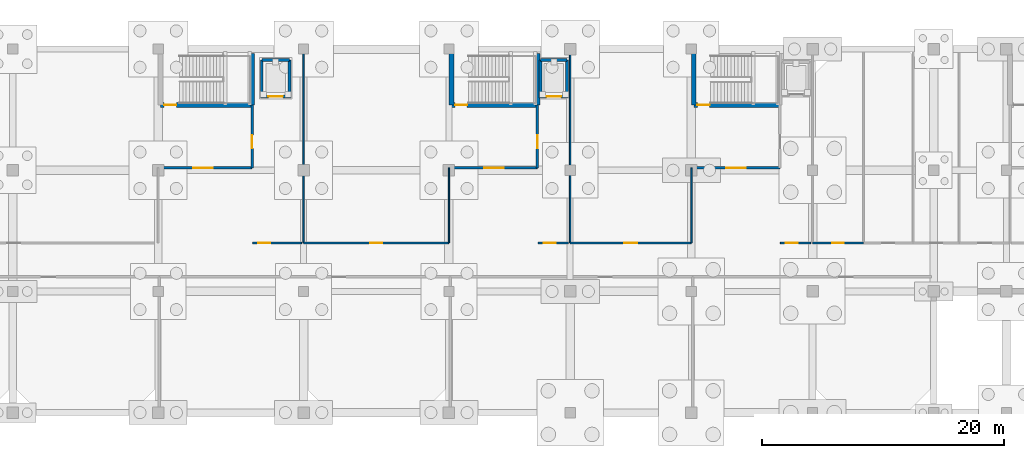
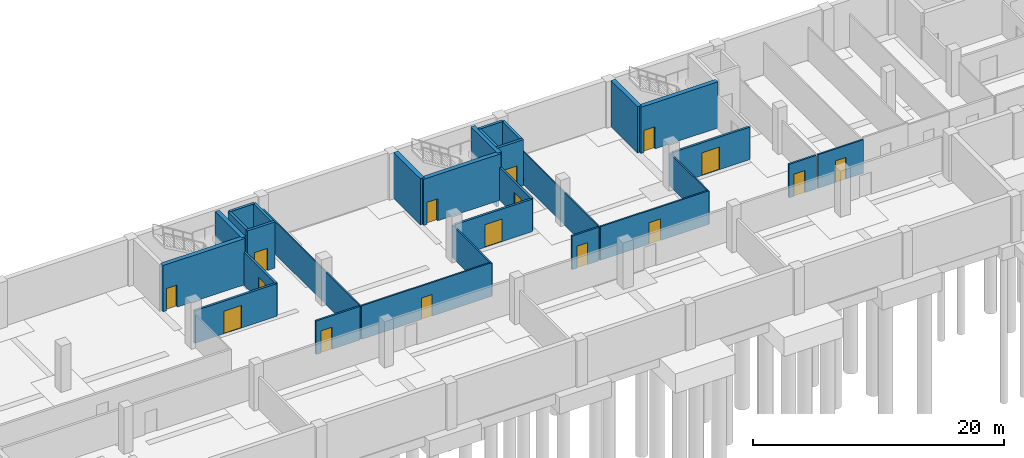
# One storey, part 13 of 19: 30 walls, 16 doors, 16 openings.
"""IFC4 building model written with IfcOpenShell, lengths in metres."""

from ifc_helpers import new_model, si_unit, direction, frame, frame_2d, origin, place, context, subcontext, project, spatial, rectangle, extrude, material, layer, layer_set, type_object, element, fill, save


model = new_model("IFC4")

# Units and contexts
model_context = context("Model", 3, precision=1e-05, world=origin(), true_north=direction((0.0, 1.0)))
body_context = subcontext(model_context, "Body", "Model", "MODEL_VIEW")
ifc_project = project(units=[si_unit("LENGTHUNIT", "METRE"), si_unit("AREAUNIT", "SQUARE_METRE"), si_unit("VOLUMEUNIT", "CUBIC_METRE"), si_unit("PLANEANGLEUNIT", "RADIAN"), si_unit("MASSUNIT", "GRAM", prefix="KILO")], contexts=[model_context])

# Site, building, storey
site_placement = place(None, origin())
site = spatial("IfcSite", under=ifc_project, at=site_placement, CompositionType="ELEMENT")
building_placement = place(site_placement, origin())
building = spatial("IfcBuilding", under=site, at=building_placement, Name="Mersad Railyard Sports Hall", CompositionType="ELEMENT")
storey_placement = place(building_placement, frame((0.0, 0.0, -4.5)))
storey = spatial("IfcBuildingStorey", under=building, at=storey_placement, Name="B1", CompositionType="ELEMENT", Elevation=-4.5)

# Wall, opening, door
ifc_material_1 = material(Name="Precast concrete C45/55", Category="concrete")
ifc_layer_1 = layer(ifc_material_1, 0.199951171875)
ifc_layer_set_1 = layer_set([ifc_layer_1], Name="Precast concrete C45/55")
wall_type_1 = type_object("IfcWallType", Name="ARC-WL-PT01", PredefinedType="PARTITIONING", material=ifc_layer_set_1)
wall_1_placement = place(storey_placement, frame((67.199951171875, 105.199951171875, 0.0), z_axis=(0.0, 0.0, 1.0), x_axis=(1.0, 0.0, 0.0)))
wall_1 = element("IfcWall", 1, at=wall_1_placement, inside=storey, type_object=wall_type_1, Name="Interior wall PT01-0154", PredefinedType="PARTITIONING", context=body_context, shape_type="SweptSolid", body=[
    extrude(rectangle(XDim=7.550048828125, YDim=0.199951171875, at=frame_2d((3.77490234375, 0.0))), origin(), (0.0, 0.0, 1.0), 3.175048828125),
])
opening_1_placement = place(wall_1_placement, frame((2.699951171875, 0.0, 0.0)))
opening_1 = element("IfcOpeningElement", 2, at=opening_1_placement, cuts=wall_1, Name="Opening FD04", PredefinedType="OPENING", context=body_context, shape_type="SweptSolid", body=[
    extrude(rectangle(XDim=1.60009765625, YDim=2.199951171875, at=frame_2d((0.800048828125, 1.10009765625))), frame((0.0, 0.10986328125, 0.0), z_axis=(0.0, -1.0, 0.0), x_axis=(1.0, 0.0, 0.0)), (0.0, 0.0, 1.0), 0.219970703125),
])
ifc_material_2 = material(Name="Steel S355", Category="steel")
door_type_1 = type_object("IfcDoorType", Name="ARC-DR-FD04", OperationType="NOTDEFINED", PredefinedType="DOOR", material=ifc_material_2)
door_1_placement = place(opening_1_placement, origin())
door_1 = element("IfcDoor", 3, at=door_1_placement, inside=storey, type_object=door_type_1, Name="C1 firefighting lobby door FD04-0042", OperationType="DOUBLE_DOOR_SINGLE_SWING", OverallHeight=2.199951171875, OverallWidth=1.60009765625, PredefinedType="DOOR", context=body_context, shape_type="SweptSolid", body=[
    extrude(rectangle(XDim=1.60009765625, YDim=2.199951171875, at=frame_2d((0.800048828125, 1.10009765625))), frame((0.0, 0.02490234375, 0.0), z_axis=(0.0, -1.0, 0.0), x_axis=(1.0, 0.0, 0.0)), (0.0, 0.0, 1.0), 0.050048828125),
])
fill(opening_1, door_1)

wall_2_placement = place(storey_placement, frame((74.75, 105.199951171875, 0.0), z_axis=(0.0, 0.0, 1.0), x_axis=(0.0, 1.0, 0.0)))
wall_2 = element("IfcWall", 4, at=wall_2_placement, inside=storey, type_object=wall_type_1, Name="Interior wall PT01-0155", PredefinedType="PARTITIONING", context=body_context, shape_type="SweptSolid", body=[
    extrude(rectangle(XDim=5.179931640625, YDim=0.199951171875, at=frame_2d((2.58984375, 0.0))), origin(), (0.0, 0.0, 1.0), 3.175048828125),
])
opening_2_placement = place(wall_2_placement, frame((1.60009765625, 0.0, 0.0)))
opening_2 = element("IfcOpeningElement", 5, at=opening_2_placement, cuts=wall_2, Name="Opening FD01", PredefinedType="OPENING", context=body_context, shape_type="SweptSolid", body=[
    extrude(rectangle(XDim=1.10009765625, YDim=2.14990234375, at=frame_2d((0.550048828125, 1.074951171875))), frame((0.0, 0.10986328125, 0.0), z_axis=(0.0, -1.0, 0.0), x_axis=(1.0, 0.0, 0.0)), (0.0, 0.0, 1.0), 0.219970703125),
])
door_type_2 = type_object("IfcDoorType", Name="ARC-DR-FD01", OperationType="NOTDEFINED", PredefinedType="DOOR", material=ifc_material_2)
door_2_placement = place(opening_2_placement, origin())
door_2 = element("IfcDoor", 6, at=door_2_placement, inside=storey, type_object=door_type_2, Name="C1 lift-to-firefighting lobby door FD01-0043", OperationType="SINGLE_SWING_RIGHT", OverallHeight=2.14990234375, OverallWidth=1.10009765625, PredefinedType="DOOR", context=body_context, shape_type="SweptSolid", body=[
    extrude(rectangle(XDim=1.10009765625, YDim=2.14990234375, at=frame_2d((0.550048828125, 1.074951171875))), frame((0.0, 0.02490234375, 0.0), z_axis=(0.0, -1.0, 0.0), x_axis=(1.0, 0.0, 0.0)), (0.0, 0.0, 1.0), 0.050048828125),
])
fill(opening_2, door_2)

wall_3_placement = place(storey_placement, frame((91.199951171875, 105.199951171875, 0.0), z_axis=(0.0, 0.0, 1.0), x_axis=(1.0, 0.0, 0.0)))
wall_3 = element("IfcWall", 7, at=wall_3_placement, inside=storey, type_object=wall_type_1, Name="Interior wall PT01-0196", PredefinedType="PARTITIONING", context=body_context, shape_type="SweptSolid", body=[
    extrude(rectangle(XDim=7.10009765625, YDim=0.199951171875, at=frame_2d((3.550048828125, 0.0))), origin(), (0.0, 0.0, 1.0), 3.175048828125),
])
opening_3_placement = place(wall_3_placement, frame((2.699951171875, 0.0, 0.0)))
opening_3 = element("IfcOpeningElement", 8, at=opening_3_placement, cuts=wall_3, Name="Opening FD04", PredefinedType="OPENING", context=body_context, shape_type="SweptSolid", body=[
    extrude(rectangle(XDim=1.60009765625, YDim=2.199951171875, at=frame_2d((0.800048828125, 1.10009765625))), frame((0.0, 0.10986328125, 0.0), z_axis=(0.0, -1.0, 0.0), x_axis=(1.0, 0.0, 0.0)), (0.0, 0.0, 1.0), 0.219970703125),
])
door_3_placement = place(opening_3_placement, origin())
door_3 = element("IfcDoor", 9, at=door_3_placement, inside=storey, type_object=door_type_1, Name="C2 firefighting lobby door FD04-0070", OperationType="DOUBLE_DOOR_SINGLE_SWING", OverallHeight=2.199951171875, OverallWidth=1.60009765625, PredefinedType="DOOR", context=body_context, shape_type="SweptSolid", body=[
    extrude(rectangle(XDim=1.60009765625, YDim=2.199951171875, at=frame_2d((0.800048828125, 1.10009765625))), frame((0.0, 0.02490234375, 0.0), z_axis=(0.0, -1.0, 0.0), x_axis=(1.0, 0.0, 0.0)), (0.0, 0.0, 1.0), 0.050048828125),
])
fill(opening_3, door_3)

wall_4_placement = place(storey_placement, frame((98.300048828125, 105.199951171875, 0.0), z_axis=(0.0, 0.0, 1.0), x_axis=(0.0, 1.0, 0.0)))
wall_4 = element("IfcWall", 10, at=wall_4_placement, inside=storey, type_object=wall_type_1, Name="Interior wall PT01-0197", PredefinedType="PARTITIONING", context=body_context, shape_type="SweptSolid", body=[
    extrude(rectangle(XDim=5.179931640625, YDim=0.199951171875, at=frame_2d((2.58984375, 0.0))), origin(), (0.0, 0.0, 1.0), 3.175048828125),
])
opening_4_placement = place(wall_4_placement, frame((1.60009765625, 0.0, 0.0)))
opening_4 = element("IfcOpeningElement", 11, at=opening_4_placement, cuts=wall_4, Name="Opening FD01", PredefinedType="OPENING", context=body_context, shape_type="SweptSolid", body=[
    extrude(rectangle(XDim=1.10009765625, YDim=2.14990234375, at=frame_2d((0.550048828125, 1.074951171875))), frame((0.0, 0.10986328125, 0.0), z_axis=(0.0, -1.0, 0.0), x_axis=(1.0, 0.0, 0.0)), (0.0, 0.0, 1.0), 0.219970703125),
])
door_4_placement = place(opening_4_placement, origin())
door_4 = element("IfcDoor", 12, at=door_4_placement, inside=storey, type_object=door_type_2, Name="C2 lift-to-firefighting lobby door FD01-0071", OperationType="SINGLE_SWING_LEFT", OverallHeight=2.14990234375, OverallWidth=1.10009765625, PredefinedType="DOOR", context=body_context, shape_type="SweptSolid", body=[
    extrude(rectangle(XDim=1.10009765625, YDim=2.14990234375, at=frame_2d((0.550048828125, 1.074951171875))), frame((0.0, 0.02490234375, 0.0), z_axis=(0.0, -1.0, 0.0), x_axis=(1.0, 0.0, 0.0)), (0.0, 0.0, 1.0), 0.050048828125),
])
fill(opening_4, door_4)

wall_5_placement = place(storey_placement, frame((111.199951171875, 105.199951171875, 0.0), z_axis=(0.0, 0.0, 1.0), x_axis=(1.0, 0.0, 0.0)))
wall_5 = element("IfcWall", 13, at=wall_5_placement, inside=storey, type_object=wall_type_1, Name="Interior wall PT01-0238", PredefinedType="PARTITIONING", context=body_context, shape_type="SweptSolid", body=[
    extrude(rectangle(XDim=7.10009765625, YDim=0.199951171875, at=frame_2d((3.550048828125, 0.0))), origin(), (0.0, 0.0, 1.0), 3.175048828125),
])
opening_5_placement = place(wall_5_placement, frame((2.699951171875, 0.0, 0.0)))
opening_5 = element("IfcOpeningElement", 14, at=opening_5_placement, cuts=wall_5, Name="Opening FD04", PredefinedType="OPENING", context=body_context, shape_type="SweptSolid", body=[
    extrude(rectangle(XDim=1.60009765625, YDim=2.199951171875, at=frame_2d((0.800048828125, 1.10009765625))), frame((0.0, 0.10986328125, 0.0), z_axis=(0.0, -1.0, 0.0), x_axis=(1.0, 0.0, 0.0)), (0.0, 0.0, 1.0), 0.219970703125),
])
door_5_placement = place(opening_5_placement, origin())
door_5 = element("IfcDoor", 15, at=door_5_placement, inside=storey, type_object=door_type_1, Name="C3 firefighting lobby door FD04-0098", OperationType="DOUBLE_DOOR_SINGLE_SWING", OverallHeight=2.199951171875, OverallWidth=1.60009765625, PredefinedType="DOOR", context=body_context, shape_type="SweptSolid", body=[
    extrude(rectangle(XDim=1.60009765625, YDim=2.199951171875, at=frame_2d((0.800048828125, 1.10009765625))), frame((0.0, 0.02490234375, 0.0), z_axis=(0.0, -1.0, 0.0), x_axis=(1.0, 0.0, 0.0)), (0.0, 0.0, 1.0), 0.050048828125),
])
fill(opening_5, door_5)

ifc_material_3 = material(Name="Gypsum plasterboard", Category="gypsum")
ifc_layer_2 = layer(ifc_material_3, 0.159912109375)
ifc_layer_set_2 = layer_set([ifc_layer_2], Name="Gypsum plasterboard")
wall_type_2 = type_object("IfcWallType", Name="ARC-WL-PT02", PredefinedType="PARTITIONING", material=ifc_layer_set_2)
wall_6_placement = place(storey_placement, frame((74.800048828125, 99.0, 0.0), z_axis=(0.0, 0.0, 1.0), x_axis=(1.0, 0.0, 0.0)))
wall_6 = element("IfcWall", 16, at=wall_6_placement, inside=storey, type_object=wall_type_2, Name="Interior wall PT02-0156", PredefinedType="PARTITIONING", context=body_context, shape_type="SweptSolid", body=[
    extrude(rectangle(XDim=4.050048828125, YDim=0.159912109375, at=frame_2d((2.02490234375, 0.0))), origin(), (0.0, 0.0, 1.0), 3.27490234375),
])
opening_6_placement = place(wall_6_placement, frame((0.449951171875, 0.0, 0.0)))
opening_6 = element("IfcOpeningElement", 17, at=opening_6_placement, cuts=wall_6, Name="Opening FD02", PredefinedType="OPENING", context=body_context, shape_type="SweptSolid", body=[
    extrude(rectangle(XDim=1.0, YDim=2.14990234375, at=frame_2d((0.5, 1.074951171875))), frame((0.0, 0.08984375, 0.0), z_axis=(0.0, -1.0, 0.0), x_axis=(1.0, 0.0, 0.0)), (0.0, 0.0, 1.0), 0.179931640625),
])
door_type_3 = type_object("IfcDoorType", Name="ARC-DR-FD02", OperationType="NOTDEFINED", PredefinedType="DOOR", material=ifc_material_2)
door_6_placement = place(opening_6_placement, origin())
door_6 = element("IfcDoor", 18, at=door_6_placement, inside=storey, type_object=door_type_3, Name="C1 lift lobby corridor door FD02-0044", OperationType="SINGLE_SWING_LEFT", OverallHeight=2.14990234375, OverallWidth=1.0, PredefinedType="DOOR", context=body_context, shape_type="SweptSolid", body=[
    extrude(rectangle(XDim=1.0, YDim=2.14990234375, at=frame_2d((0.5, 1.074951171875))), frame((0.0, 0.02490234375, 0.0), z_axis=(0.0, -1.0, 0.0), x_axis=(1.0, 0.0, 0.0)), (0.0, 0.0, 1.0), 0.050048828125),
])
fill(opening_6, door_6)

wall_7_placement = place(storey_placement, frame((98.35009765625, 99.0, 0.0), z_axis=(0.0, 0.0, 1.0), x_axis=(1.0, 0.0, 0.0)))
wall_7 = element("IfcWall", 19, at=wall_7_placement, inside=storey, type_object=wall_type_2, Name="Interior wall PT02-0198", PredefinedType="PARTITIONING", context=body_context, shape_type="SweptSolid", body=[
    extrude(rectangle(XDim=2.5, YDim=0.159912109375, at=frame_2d((1.25, 0.0))), origin(), (0.0, 0.0, 1.0), 3.27490234375),
])
opening_7_placement = place(wall_7_placement, frame((0.449951171875, 0.0, 0.0)))
opening_7 = element("IfcOpeningElement", 20, at=opening_7_placement, cuts=wall_7, Name="Opening FD02", PredefinedType="OPENING", context=body_context, shape_type="SweptSolid", body=[
    extrude(rectangle(XDim=1.0, YDim=2.14990234375, at=frame_2d((0.5, 1.074951171875))), frame((0.0, 0.08984375, 0.0), z_axis=(0.0, -1.0, 0.0), x_axis=(1.0, 0.0, 0.0)), (0.0, 0.0, 1.0), 0.179931640625),
])
door_7_placement = place(opening_7_placement, origin())
door_7 = element("IfcDoor", 21, at=door_7_placement, inside=storey, type_object=door_type_3, Name="C2 lift lobby corridor door FD02-0072", OperationType="SINGLE_SWING_RIGHT", OverallHeight=2.14990234375, OverallWidth=1.0, PredefinedType="DOOR", context=body_context, shape_type="SweptSolid", body=[
    extrude(rectangle(XDim=1.0, YDim=2.14990234375, at=frame_2d((0.5, 1.074951171875))), frame((0.0, 0.02490234375, 0.0), z_axis=(0.0, -1.0, 0.0), x_axis=(1.0, 0.0, 0.0)), (0.0, 0.0, 1.0), 0.050048828125),
])
fill(opening_7, door_7)

wall_8_placement = place(storey_placement, frame((118.35009765625, 99.0, 0.0), z_axis=(0.0, 0.0, 1.0), x_axis=(1.0, 0.0, 0.0)))
wall_8 = element("IfcWall", 22, at=wall_8_placement, inside=storey, type_object=wall_type_2, Name="Interior wall PT02-0240", PredefinedType="PARTITIONING", context=body_context, shape_type="SweptSolid", body=[
    extrude(rectangle(XDim=2.5, YDim=0.159912109375, at=frame_2d((1.25, 0.0))), origin(), (0.0, 0.0, 1.0), 3.27490234375),
])
opening_8_placement = place(wall_8_placement, frame((0.449951171875, 0.0, 0.0)))
opening_8 = element("IfcOpeningElement", 23, at=opening_8_placement, cuts=wall_8, Name="Opening FD02", PredefinedType="OPENING", context=body_context, shape_type="SweptSolid", body=[
    extrude(rectangle(XDim=1.0, YDim=2.14990234375, at=frame_2d((0.5, 1.074951171875))), frame((0.0, 0.08984375, 0.0), z_axis=(0.0, -1.0, 0.0), x_axis=(1.0, 0.0, 0.0)), (0.0, 0.0, 1.0), 0.179931640625),
])
door_8_placement = place(opening_8_placement, origin())
door_8 = element("IfcDoor", 24, at=door_8_placement, inside=storey, type_object=door_type_3, Name="C3 lift lobby corridor door FD02-0100", OperationType="SINGLE_SWING_LEFT", OverallHeight=2.14990234375, OverallWidth=1.0, PredefinedType="DOOR", context=body_context, shape_type="SweptSolid", body=[
    extrude(rectangle(XDim=1.0, YDim=2.14990234375, at=frame_2d((0.5, 1.074951171875))), frame((0.0, 0.02490234375, 0.0), z_axis=(0.0, -1.0, 0.0), x_axis=(1.0, 0.0, 0.0)), (0.0, 0.0, 1.0), 0.050048828125),
])
fill(opening_8, door_8)

ifc_layer_3 = layer(ifc_material_3, 0.139892578125)
ifc_layer_set_3 = layer_set([ifc_layer_3], Name="Gypsum plasterboard")
wall_type_3 = type_object("IfcWallType", Name="ARC-WL-PT03", PredefinedType="PARTITIONING", material=ifc_layer_set_3)
wall_9_placement = place(storey_placement, frame((79.0, 99.0, 0.0), z_axis=(0.0, 0.0, 1.0), x_axis=(1.0, 0.0, 0.0)))
wall_9 = element("IfcWall", 25, at=wall_9_placement, inside=storey, type_object=wall_type_3, Name="Interior wall PT03-0387", PredefinedType="PARTITIONING", context=body_context, shape_type="SweptSolid", body=[
    extrude(rectangle(XDim=12.0, YDim=0.139892578125, at=frame_2d((6.0, 0.0))), origin(), (0.0, 0.0, 1.0), 3.27490234375),
])
opening_9_placement = place(wall_9_placement, frame((5.510009765625, 0.0, 0.0)))
opening_9 = element("IfcOpeningElement", 26, at=opening_9_placement, cuts=wall_9, Name="Opening FD06", PredefinedType="OPENING", context=body_context, shape_type="SweptSolid", body=[
    extrude(rectangle(XDim=0.97998046875, YDim=2.10009765625, at=frame_2d((0.489990234375, 1.050048828125))), frame((0.0, 0.079833984375, 0.0), z_axis=(0.0, -1.0, 0.0), x_axis=(1.0, 0.0, 0.0)), (0.0, 0.0, 1.0), 0.159912109375),
])
door_type_4 = type_object("IfcDoorType", Name="ARC-DR-FD06", OperationType="NOTDEFINED", PredefinedType="DOOR", material=ifc_material_2)
door_9_placement = place(opening_9_placement, origin())
door_9 = element("IfcDoor", 27, at=door_9_placement, inside=storey, type_object=door_type_4, Name="B1 north room door FD06-0174", OperationType="SINGLE_SWING_LEFT", OverallHeight=2.10009765625, OverallWidth=0.97998046875, PredefinedType="DOOR", context=body_context, shape_type="SweptSolid", body=[
    extrude(rectangle(XDim=0.97998046875, YDim=2.10009765625, at=frame_2d((0.489990234375, 1.050048828125))), frame((0.0, 0.02490234375, 0.0), z_axis=(0.0, -1.0, 0.0), x_axis=(1.0, 0.0, 0.0)), (0.0, 0.0, 1.0), 0.050048828125),
])
fill(opening_9, door_9)

wall_10_placement = place(storey_placement, frame((101.0, 99.0, 0.0), z_axis=(0.0, 0.0, 1.0), x_axis=(1.0, 0.0, 0.0)))
wall_10 = element("IfcWall", 28, at=wall_10_placement, inside=storey, type_object=wall_type_3, Name="Interior wall PT03-0390", PredefinedType="PARTITIONING", context=body_context, shape_type="SweptSolid", body=[
    extrude(rectangle(XDim=10.0, YDim=0.139892578125, at=frame_2d((5.0, 0.0))), origin(), (0.0, 0.0, 1.0), 3.27490234375),
])
opening_10_placement = place(wall_10_placement, frame((4.47509765625, 0.0, 0.0)))
opening_10 = element("IfcOpeningElement", 29, at=opening_10_placement, cuts=wall_10, Name="Opening FD07", PredefinedType="OPENING", context=body_context, shape_type="SweptSolid", body=[
    extrude(rectangle(XDim=1.050048828125, YDim=2.10009765625, at=frame_2d((0.52490234375, 1.050048828125))), frame((0.0, 0.079833984375, 0.0), z_axis=(0.0, -1.0, 0.0), x_axis=(1.0, 0.0, 0.0)), (0.0, 0.0, 1.0), 0.159912109375),
])
door_type_5 = type_object("IfcDoorType", Name="ARC-DR-FD07", OperationType="NOTDEFINED", PredefinedType="DOOR", material=ifc_material_2)
door_10_placement = place(opening_10_placement, origin())
door_10 = element("IfcDoor", 30, at=door_10_placement, inside=storey, type_object=door_type_5, Name="B1 north room door FD07-0175", OperationType="SINGLE_SWING_RIGHT", OverallHeight=2.10009765625, OverallWidth=1.050048828125, PredefinedType="DOOR", context=body_context, shape_type="SweptSolid", body=[
    extrude(rectangle(XDim=1.050048828125, YDim=2.10009765625, at=frame_2d((0.52490234375, 1.050048828125))), frame((0.0, 0.02490234375, 0.0), z_axis=(0.0, -1.0, 0.0), x_axis=(1.0, 0.0, 0.0)), (0.0, 0.0, 1.0), 0.050048828125),
])
fill(opening_10, door_10)

wall_11_placement = place(storey_placement, frame((121.0, 99.0, 0.0), z_axis=(0.0, 0.0, 1.0), x_axis=(1.0, 0.0, 0.0)))
wall_11 = element("IfcWall", 31, at=wall_11_placement, inside=storey, type_object=wall_type_3, Name="Interior wall PT03-0393", PredefinedType="PARTITIONING", context=body_context, shape_type="SweptSolid", body=[
    extrude(rectangle(XDim=4.199951171875, YDim=0.139892578125, at=frame_2d((2.10009765625, 0.0))), origin(), (0.0, 0.0, 1.0), 3.27490234375),
])
opening_11_placement = place(wall_11_placement, frame((1.610107421875, 0.0, 0.0)))
opening_11 = element("IfcOpeningElement", 32, at=opening_11_placement, cuts=wall_11, Name="Opening FD06", PredefinedType="OPENING", context=body_context, shape_type="SweptSolid", body=[
    extrude(rectangle(XDim=0.97998046875, YDim=2.10009765625, at=frame_2d((0.489990234375, 1.050048828125))), frame((0.0, 0.079833984375, 0.0), z_axis=(0.0, -1.0, 0.0), x_axis=(1.0, 0.0, 0.0)), (0.0, 0.0, 1.0), 0.159912109375),
])
door_11_placement = place(opening_11_placement, origin())
door_11 = element("IfcDoor", 33, at=door_11_placement, inside=storey, type_object=door_type_4, Name="B1 north room door FD06-0176", OperationType="SINGLE_SWING_LEFT", OverallHeight=2.10009765625, OverallWidth=0.97998046875, PredefinedType="DOOR", context=body_context, shape_type="SweptSolid", body=[
    extrude(rectangle(XDim=0.97998046875, YDim=2.10009765625, at=frame_2d((0.489990234375, 1.050048828125))), frame((0.0, 0.02490234375, 0.0), z_axis=(0.0, -1.0, 0.0), x_axis=(1.0, 0.0, 0.0)), (0.0, 0.0, 1.0), 0.050048828125),
])
fill(opening_11, door_11)

# Walls
ifc_layer_4 = layer(ifc_material_3, 0.1201171875)
ifc_layer_set_4 = layer_set([ifc_layer_4], Name="Gypsum plasterboard")
wall_type_4 = type_object("IfcWallType", Name="ARC-WL-PT04", PredefinedType="PARTITIONING", material=ifc_layer_set_4)
wall_12_placement = place(storey_placement, frame((79.0, 99.0, 0.0), z_axis=(0.0, 0.0, 1.0), x_axis=(0.0, 1.0, 0.0)))
element("IfcWall", 34, at=wall_12_placement, inside=storey, type_object=wall_type_4, Name="Interior wall PT04-0388", PredefinedType="PARTITIONING", context=body_context, shape_type="SweptSolid", body=[
    extrude(rectangle(XDim=15.75, YDim=0.1201171875, at=frame_2d((7.875, 0.0))), origin(), (0.0, 0.0, 1.0), 3.175048828125),
])
wall_13_placement = place(storey_placement, frame((91.0, 99.0, 0.0), z_axis=(0.0, 0.0, 1.0), x_axis=(0.0, 1.0, 0.0)))
element("IfcWall", 35, at=wall_13_placement, inside=storey, type_object=wall_type_4, Name="Interior wall PT04-0389", PredefinedType="PARTITIONING", context=body_context, shape_type="SweptSolid", body=[
    extrude(rectangle(XDim=6.199951171875, YDim=0.1201171875, at=frame_2d((3.10009765625, 0.0))), origin(), (0.0, 0.0, 1.0), 3.175048828125),
])
wall_14_placement = place(storey_placement, frame((101.0, 99.0, 0.0), z_axis=(0.0, 0.0, 1.0), x_axis=(0.0, 1.0, 0.0)))
element("IfcWall", 36, at=wall_14_placement, inside=storey, type_object=wall_type_4, Name="Interior wall PT04-0391", PredefinedType="PARTITIONING", context=body_context, shape_type="SweptSolid", body=[
    extrude(rectangle(XDim=15.75, YDim=0.1201171875, at=frame_2d((7.875, 0.0))), origin(), (0.0, 0.0, 1.0), 3.175048828125),
])
wall_15_placement = place(storey_placement, frame((111.0, 99.0, 0.0), z_axis=(0.0, 0.0, 1.0), x_axis=(0.0, 1.0, 0.0)))
element("IfcWall", 37, at=wall_15_placement, inside=storey, type_object=wall_type_4, Name="Interior wall PT04-0392", PredefinedType="PARTITIONING", context=body_context, shape_type="SweptSolid", body=[
    extrude(rectangle(XDim=6.199951171875, YDim=0.1201171875, at=frame_2d((3.10009765625, 0.0))), origin(), (0.0, 0.0, 1.0), 3.175048828125),
])

# Wall, opening, door
ifc_material_4 = material(Name="Concrete C50/60", Category="concrete")
ifc_layer_5 = layer(ifc_material_4, 0.39990234375)
ifc_layer_set_5 = layer_set([ifc_layer_5], Name="Concrete C50/60")
wall_type_5 = type_object("IfcWallType", Name="STR-WL-SW01", PredefinedType="SHEAR", material=ifc_layer_set_5)
wall_16_placement = place(storey_placement, frame((67.199951171875, 110.3798828125, 0.0), z_axis=(0.0, 0.0, 1.0), x_axis=(1.0, 0.0, 0.0)))
wall_16 = element("IfcWall", 38, at=wall_16_placement, inside=storey, type_object=wall_type_5, Name="Interior wall SW01-0151", PredefinedType="SHEAR", context=body_context, shape_type="SweptSolid", body=[
    extrude(rectangle(XDim=7.550048828125, YDim=0.39990234375, at=frame_2d((3.77490234375, 0.0))), origin(), (0.0, 0.0, 1.0), 4.5),
])
opening_12_placement = place(wall_16_placement, frame((0.300048828125, 0.0, 0.0)))
opening_12 = element("IfcOpeningElement", 39, at=opening_12_placement, cuts=wall_16, Name="Opening FD02", PredefinedType="OPENING", context=body_context, shape_type="SweptSolid", body=[
    extrude(rectangle(XDim=1.0, YDim=2.14990234375, at=frame_2d((0.5, 1.074951171875))), frame((0.0, 0.2099609375, 0.0), z_axis=(0.0, -1.0, 0.0), x_axis=(1.0, 0.0, 0.0)), (0.0, 0.0, 1.0), 0.419921875),
])
door_12_placement = place(opening_12_placement, origin())
door_12 = element("IfcDoor", 40, at=door_12_placement, inside=storey, type_object=door_type_3, Name="C1 stair entrance door FD02-0041", OperationType="SINGLE_SWING_LEFT", OverallHeight=2.14990234375, OverallWidth=1.0, PredefinedType="DOOR", context=body_context, shape_type="SweptSolid", body=[
    extrude(rectangle(XDim=1.0, YDim=2.14990234375, at=frame_2d((0.5, 1.074951171875))), frame((0.0, 0.02490234375, 0.0), z_axis=(0.0, -1.0, 0.0), x_axis=(1.0, 0.0, 0.0)), (0.0, 0.0, 1.0), 0.050048828125),
])
fill(opening_12, door_12)

# Wall
wall_17_placement = place(storey_placement, frame((74.75, 110.3798828125, 0.0), z_axis=(0.0, 0.0, 1.0), x_axis=(0.0, 1.0, 0.0)))
element("IfcWall", 41, at=wall_17_placement, inside=storey, type_object=wall_type_5, Name="Interior wall SW01-0152", PredefinedType="SHEAR", context=body_context, shape_type="SweptSolid", body=[
    extrude(rectangle(XDim=4.240234375, YDim=0.39990234375, at=frame_2d((2.1201171875, 0.0))), origin(), (0.0, 0.0, 1.0), 4.5),
])

# Wall, opening, door
wall_18_placement = place(storey_placement, frame((91.199951171875, 110.3798828125, 0.0), z_axis=(0.0, 0.0, 1.0), x_axis=(1.0, 0.0, 0.0)))
wall_18 = element("IfcWall", 42, at=wall_18_placement, inside=storey, type_object=wall_type_5, Name="Interior wall SW01-0193", PredefinedType="SHEAR", context=body_context, shape_type="SweptSolid", body=[
    extrude(rectangle(XDim=7.10009765625, YDim=0.39990234375, at=frame_2d((3.550048828125, 0.0))), origin(), (0.0, 0.0, 1.0), 4.5),
])
opening_13_placement = place(wall_18_placement, frame((0.300048828125, 0.0, 0.0)))
opening_13 = element("IfcOpeningElement", 43, at=opening_13_placement, cuts=wall_18, Name="Opening FD02", PredefinedType="OPENING", context=body_context, shape_type="SweptSolid", body=[
    extrude(rectangle(XDim=1.0, YDim=2.14990234375, at=frame_2d((0.5, 1.074951171875))), frame((0.0, 0.2099609375, 0.0), z_axis=(0.0, -1.0, 0.0), x_axis=(1.0, 0.0, 0.0)), (0.0, 0.0, 1.0), 0.419921875),
])
door_13_placement = place(opening_13_placement, origin())
door_13 = element("IfcDoor", 44, at=door_13_placement, inside=storey, type_object=door_type_3, Name="C2 stair entrance door FD02-0069", OperationType="SINGLE_SWING_RIGHT", OverallHeight=2.14990234375, OverallWidth=1.0, PredefinedType="DOOR", context=body_context, shape_type="SweptSolid", body=[
    extrude(rectangle(XDim=1.0, YDim=2.14990234375, at=frame_2d((0.5, 1.074951171875))), frame((0.0, 0.02490234375, 0.0), z_axis=(0.0, -1.0, 0.0), x_axis=(1.0, 0.0, 0.0)), (0.0, 0.0, 1.0), 0.050048828125),
])
fill(opening_13, door_13)

# Walls
for number, where, z_axis, x_axis, name in (
    (45, (98.300048828125, 110.3798828125, 0.0), (0.0, 0.0, 1.0), (0.0, 1.0, 0.0), "Interior wall SW01-0194"),
    (46, (91.199951171875, 114.6201171875, 0.0), (0.0, 0.0, 1.0), (0.0, -1.0, 0.0), "Interior wall SW01-0195"),
):
    element("IfcWall", number, at=place(storey_placement, frame(where, z_axis=z_axis, x_axis=x_axis)), inside=storey, type_object=wall_type_5, Name=name, PredefinedType="SHEAR", context=body_context, shape_type="SweptSolid", body=[
        extrude(rectangle(XDim=4.240234375, YDim=0.39990234375, at=frame_2d((2.1201171875, 0.0))), origin(), (0.0, 0.0, 1.0), 4.5),
    ])

# Wall, opening, door
wall_19_placement = place(storey_placement, frame((111.199951171875, 110.3798828125, 0.0), z_axis=(0.0, 0.0, 1.0), x_axis=(1.0, 0.0, 0.0)))
wall_19 = element("IfcWall", 47, at=wall_19_placement, inside=storey, type_object=wall_type_5, Name="Interior wall SW01-0235", PredefinedType="SHEAR", context=body_context, shape_type="SweptSolid", body=[
    extrude(rectangle(XDim=7.10009765625, YDim=0.39990234375, at=frame_2d((3.550048828125, 0.0))), origin(), (0.0, 0.0, 1.0), 4.5),
])
opening_14_placement = place(wall_19_placement, frame((0.300048828125, 0.0, 0.0)))
opening_14 = element("IfcOpeningElement", 48, at=opening_14_placement, cuts=wall_19, Name="Opening FD02", PredefinedType="OPENING", context=body_context, shape_type="SweptSolid", body=[
    extrude(rectangle(XDim=1.0, YDim=2.14990234375, at=frame_2d((0.5, 1.074951171875))), frame((0.0, 0.2099609375, 0.0), z_axis=(0.0, -1.0, 0.0), x_axis=(1.0, 0.0, 0.0)), (0.0, 0.0, 1.0), 0.419921875),
])
door_14_placement = place(opening_14_placement, origin())
door_14 = element("IfcDoor", 49, at=door_14_placement, inside=storey, type_object=door_type_3, Name="C3 stair entrance door FD02-0097", OperationType="SINGLE_SWING_LEFT", OverallHeight=2.14990234375, OverallWidth=1.0, PredefinedType="DOOR", context=body_context, shape_type="SweptSolid", body=[
    extrude(rectangle(XDim=1.0, YDim=2.14990234375, at=frame_2d((0.5, 1.074951171875))), frame((0.0, 0.02490234375, 0.0), z_axis=(0.0, -1.0, 0.0), x_axis=(1.0, 0.0, 0.0)), (0.0, 0.0, 1.0), 0.050048828125),
])
fill(opening_14, door_14)

# Walls
wall_20_placement = place(storey_placement, frame((111.199951171875, 114.6201171875, 0.0), z_axis=(0.0, 0.0, 1.0), x_axis=(0.0, -1.0, 0.0)))
element("IfcWall", 50, at=wall_20_placement, inside=storey, type_object=wall_type_5, Name="Interior wall SW01-0237", PredefinedType="SHEAR", context=body_context, shape_type="SweptSolid", body=[
    extrude(rectangle(XDim=4.240234375, YDim=0.39990234375, at=frame_2d((2.1201171875, 0.0))), origin(), (0.0, 0.0, 1.0), 4.5),
])
ifc_material_5 = material(Name="Concrete C40/50", Category="concrete")
ifc_layer_6 = layer(ifc_material_5, 0.239990234375)
ifc_layer_set_6 = layer_set([ifc_layer_6], Name="Concrete C40/50")
wall_type_6 = type_object("IfcWallType", Name="STR-WL-SW03", PredefinedType="SHEAR", material=ifc_layer_set_6)
wall_21_placement = place(storey_placement, frame((75.550048828125, 111.10009765625, -1.300048828125), z_axis=(0.0, 0.0, 1.0), x_axis=(0.0, 1.0, 0.0)))
element("IfcWall", 51, at=wall_21_placement, inside=storey, type_object=wall_type_6, Name="Lift FFL-01 west shaft wall B1", PredefinedType="SHEAR", context=body_context, shape_type="SweptSolid", body=[
    extrude(rectangle(XDim=3.0, YDim=0.239990234375, at=frame_2d((1.5, 0.0))), origin(), (0.0, 0.0, 1.0), 5.800048828125),
])
wall_22_placement = place(storey_placement, frame((77.85009765625, 114.10009765625, 0.0), z_axis=(0.0, 0.0, 1.0), x_axis=(0.0, -1.0, 0.0)))
element("IfcWall", 52, at=wall_22_placement, inside=storey, type_object=wall_type_6, Name="Interior wall SW03-0001", PredefinedType="SHEAR", context=body_context, shape_type="SweptSolid", body=[
    extrude(rectangle(XDim=3.0, YDim=0.239990234375, at=frame_2d((1.5, 0.0))), origin(), (0.0, 0.0, 1.0), 4.5),
])
wall_23_placement = place(storey_placement, frame((75.550048828125, 114.10009765625, 0.0), z_axis=(0.0, 0.0, 1.0), x_axis=(1.0, 0.0, 0.0)))
element("IfcWall", 53, at=wall_23_placement, inside=storey, type_object=wall_type_6, Name="Interior wall SW03-0002", PredefinedType="SHEAR", context=body_context, shape_type="SweptSolid", body=[
    extrude(rectangle(XDim=2.300048828125, YDim=0.239990234375, at=frame_2d((1.14990234375, 0.0))), origin(), (0.0, 0.0, 1.0), 4.5),
])

# Wall, opening, door
wall_24_placement = place(storey_placement, frame((77.969970703125, 111.10009765625, 0.0), z_axis=(0.0, 0.0, 1.0), x_axis=(-1.0, 0.0, 0.0)))
wall_24 = element("IfcWall", 54, at=wall_24_placement, inside=storey, type_object=wall_type_6, Name="Interior wall SW03-0003", PredefinedType="SHEAR", context=body_context, shape_type="SweptSolid", body=[
    extrude(rectangle(XDim=2.5400390625, YDim=0.239990234375, at=frame_2d((1.27001953125, 0.0))), origin(), (0.0, 0.0, 1.0), 4.5),
])
opening_15_placement = place(wall_24_placement, frame((0.669921875, 0.0, 0.0)))
opening_15 = element("IfcOpeningElement", 55, at=opening_15_placement, cuts=wall_24, Name="Opening LD02", PredefinedType="OPENING", context=body_context, shape_type="SweptSolid", body=[
    extrude(rectangle(XDim=1.199951171875, YDim=2.14990234375, at=frame_2d((0.60009765625, 1.074951171875))), frame((0.0, 0.1298828125, 0.0), z_axis=(0.0, -1.0, 0.0), x_axis=(1.0, 0.0, 0.0)), (0.0, 0.0, 1.0), 0.260009765625),
])
door_type_6 = type_object("IfcDoorType", Name="ARC-DR-LD02", OperationType="NOTDEFINED", PredefinedType="USERDEFINED", material=ifc_material_2)
door_15_placement = place(opening_15_placement, origin())
door_15 = element("IfcDoor", 56, at=door_15_placement, inside=storey, type_object=door_type_6, Name="Lift FFL-01 landing door LD02-0001", ObjectType="LANDING DOOR", OperationType="DOUBLE_DOOR_SLIDING", OverallHeight=2.14990234375, OverallWidth=1.199951171875, PredefinedType="USERDEFINED", context=body_context, shape_type="SweptSolid", body=[
    extrude(rectangle(XDim=1.199951171875, YDim=2.14990234375, at=frame_2d((0.60009765625, 1.074951171875))), frame((0.0, 0.02490234375, 0.0), z_axis=(0.0, -1.0, 0.0), x_axis=(1.0, 0.0, 0.0)), (0.0, 0.0, 1.0), 0.050048828125),
])
fill(opening_15, door_15)

# Walls
wall_25_placement = place(storey_placement, frame((98.550048828125, 111.10009765625, -1.300048828125), z_axis=(0.0, 0.0, 1.0), x_axis=(0.0, 1.0, 0.0)))
element("IfcWall", 57, at=wall_25_placement, inside=storey, type_object=wall_type_6, Name="Lift FFL-02 west shaft wall B1", PredefinedType="SHEAR", context=body_context, shape_type="SweptSolid", body=[
    extrude(rectangle(XDim=3.0, YDim=0.239990234375, at=frame_2d((1.5, 0.0))), origin(), (0.0, 0.0, 1.0), 5.800048828125),
])
wall_26_placement = place(storey_placement, frame((100.75, 114.10009765625, 0.0), z_axis=(0.0, 0.0, 1.0), x_axis=(0.0, -1.0, 0.0)))
element("IfcWall", 58, at=wall_26_placement, inside=storey, type_object=wall_type_6, Name="Interior wall SW03-0028", PredefinedType="SHEAR", context=body_context, shape_type="SweptSolid", body=[
    extrude(rectangle(XDim=3.0, YDim=0.239990234375, at=frame_2d((1.5, 0.0))), origin(), (0.0, 0.0, 1.0), 4.5),
])
wall_27_placement = place(storey_placement, frame((98.550048828125, 114.10009765625, 0.0), z_axis=(0.0, 0.0, 1.0), x_axis=(1.0, 0.0, 0.0)))
element("IfcWall", 59, at=wall_27_placement, inside=storey, type_object=wall_type_6, Name="Interior wall SW03-0029", PredefinedType="SHEAR", context=body_context, shape_type="SweptSolid", body=[
    extrude(rectangle(XDim=2.199951171875, YDim=0.239990234375, at=frame_2d((1.10009765625, 0.0))), origin(), (0.0, 0.0, 1.0), 4.5),
])

# Wall, opening, door
wall_28_placement = place(storey_placement, frame((100.8701171875, 111.10009765625, 0.0), z_axis=(0.0, 0.0, 1.0), x_axis=(-1.0, 0.0, 0.0)))
wall_28 = element("IfcWall", 60, at=wall_28_placement, inside=storey, type_object=wall_type_6, Name="Interior wall SW03-0030", PredefinedType="SHEAR", context=body_context, shape_type="SweptSolid", body=[
    extrude(rectangle(XDim=2.440185546875, YDim=0.239990234375, at=frame_2d((1.22021484375, 0.0))), origin(), (0.0, 0.0, 1.0), 4.5),
])
opening_16_placement = place(wall_28_placement, frame((0.6201171875, 0.0, 0.0)))
opening_16 = element("IfcOpeningElement", 61, at=opening_16_placement, cuts=wall_28, Name="Opening LD02", PredefinedType="OPENING", context=body_context, shape_type="SweptSolid", body=[
    extrude(rectangle(XDim=1.199951171875, YDim=2.14990234375, at=frame_2d((0.60009765625, 1.074951171875))), frame((0.0, 0.1298828125, 0.0), z_axis=(0.0, -1.0, 0.0), x_axis=(1.0, 0.0, 0.0)), (0.0, 0.0, 1.0), 0.260009765625),
])
door_16_placement = place(opening_16_placement, origin())
door_16 = element("IfcDoor", 62, at=door_16_placement, inside=storey, type_object=door_type_6, Name="Lift FFL-02 landing door LD02-0008", ObjectType="LANDING DOOR", OperationType="DOUBLE_DOOR_SLIDING", OverallHeight=2.14990234375, OverallWidth=1.199951171875, PredefinedType="USERDEFINED", context=body_context, shape_type="SweptSolid", body=[
    extrude(rectangle(XDim=1.199951171875, YDim=2.14990234375, at=frame_2d((0.60009765625, 1.074951171875))), frame((0.0, 0.02490234375, 0.0), z_axis=(0.0, -1.0, 0.0), x_axis=(1.0, 0.0, 0.0)), (0.0, 0.0, 1.0), 0.050048828125),
])
fill(opening_16, door_16)

save(model, "model.ifc")
